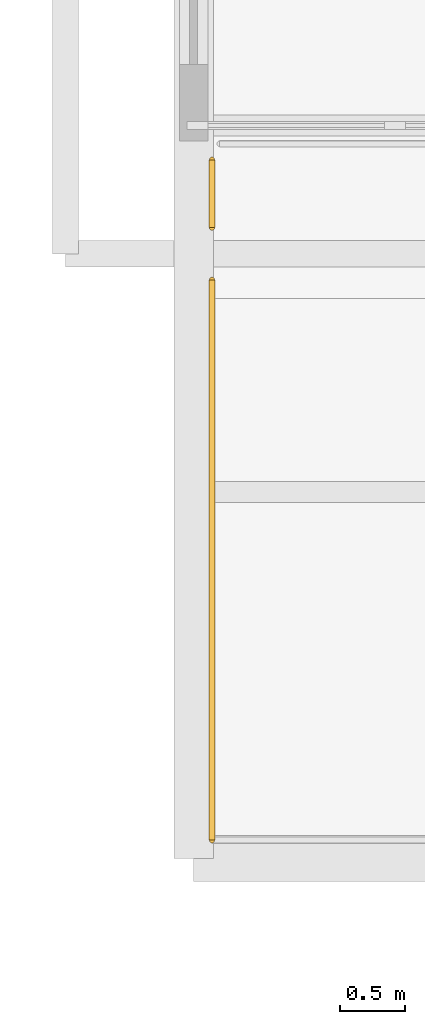
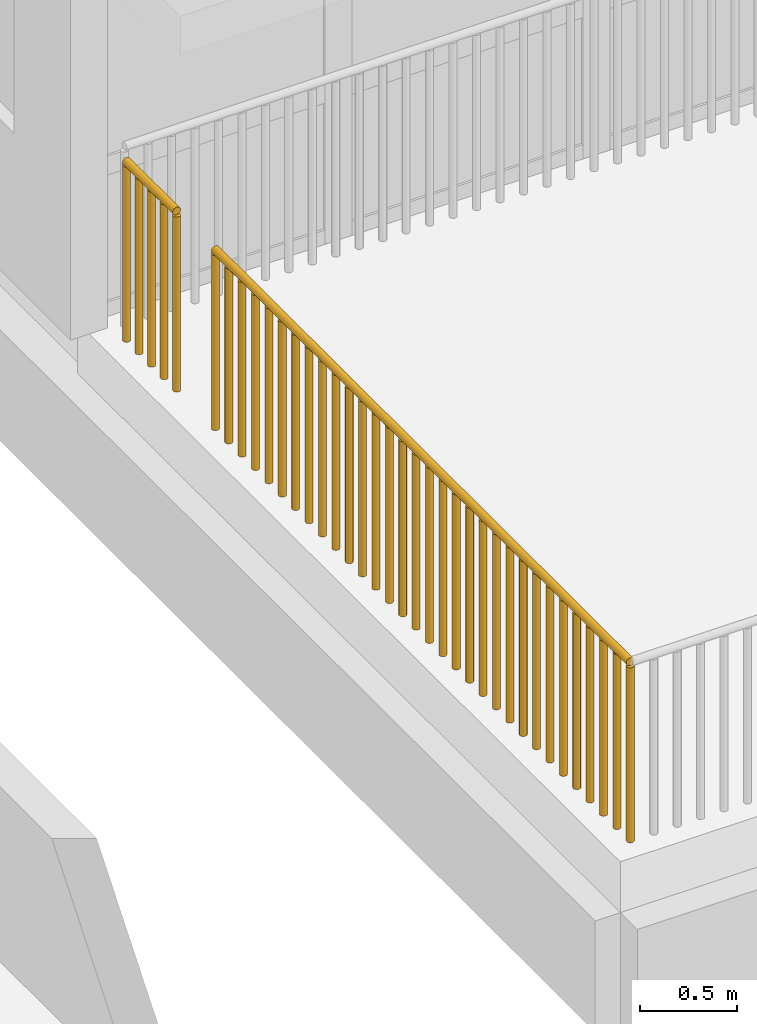
# One storey, part 10 of 14: 2 railings.
"""IFC4 building model written with IfcOpenShell, lengths in metres."""

from ifc_helpers import new_model, si_unit, direction, frame, origin, origin_2d, place, context, subcontext, project, spatial, circle, extrude, material, type_object, element, save


model = new_model("IFC4")

# Units and contexts
model_context = context("Model", 3, precision=1e-05, world=origin(), true_north=direction((0.0, 1.0)))
body_context = subcontext(model_context, "Body", "Model", "MODEL_VIEW")
ifc_project = project(units=[si_unit("LENGTHUNIT", "METRE"), si_unit("AREAUNIT", "SQUARE_METRE"), si_unit("VOLUMEUNIT", "CUBIC_METRE"), si_unit("PLANEANGLEUNIT", "RADIAN"), si_unit("MASSUNIT", "GRAM", prefix="KILO")], contexts=[model_context])

# Site, building, storey
site_placement = place(None, origin())
site = spatial("IfcSite", under=ifc_project, at=site_placement, CompositionType="ELEMENT")
building_placement = place(site_placement, origin())
building = spatial("IfcBuilding", under=site, at=building_placement, Name="Vanh Quang Courtyard School", CompositionType="ELEMENT")
storey_placement = place(building_placement, frame((0.0, 0.0, 22.199951171875)))
storey = spatial("IfcBuildingStorey", under=building, at=storey_placement, Name="L06", CompositionType="ELEMENT", Elevation=22.199951171875)

# Railings
ifc_material = material(Name="Galvanised painted steel EN 10025-2 S355J2", Category="steel")
railing_type = type_object("IfcRailingType", Name="RAIL-GUARD-1150", PredefinedType="BALUSTRADE", material=ifc_material)
railing_1_placement = place(storey_placement, frame((77.5400390625, 71.5400390625, 0.0)))
element("IfcRailing", 1, at=railing_1_placement, inside=storey, type_object=railing_type, Name="Railing GR-01 (L06)", PredefinedType="BALUSTRADE", context=body_context, shape_type="SweptSolid", body=[
    extrude(circle(Radius=0.02392578125, at=origin_2d()), frame((0.0, 0.0, 1.1259765625), z_axis=(0.0, 1.0, 0.0), x_axis=(-1.0, 0.0, 0.0)), (0.0, 0.0, 1.0), 4.280029296875),
    extrude(circle(Radius=0.02099609375, at=origin_2d()), origin(), (0.0, 0.0, 1.0), 1.101806640625),
    extrude(circle(Radius=0.02099609375, at=origin_2d()), frame((0.0, 0.13818359375, 0.0)), (0.0, 0.0, 1.0), 1.101806640625),
    extrude(circle(Radius=0.02099609375, at=origin_2d()), frame((0.0, 0.276123046875, 0.0)), (0.0, 0.0, 1.0), 1.101806640625),
    extrude(circle(Radius=0.02099609375, at=origin_2d()), frame((0.0, 0.414306640625, 0.0)), (0.0, 0.0, 1.0), 1.101806640625),
    extrude(circle(Radius=0.02099609375, at=origin_2d()), frame((0.0, 0.55224609375, 0.0)), (0.0, 0.0, 1.0), 1.101806640625),
    extrude(circle(Radius=0.02099609375, at=origin_2d()), frame((0.0, 0.6904296875, 0.0)), (0.0, 0.0, 1.0), 1.101806640625),
    extrude(circle(Radius=0.02099609375, at=origin_2d()), frame((0.0, 0.828369140625, 0.0)), (0.0, 0.0, 1.0), 1.101806640625),
    extrude(circle(Radius=0.02099609375, at=origin_2d()), frame((0.0, 0.966552734375, 0.0)), (0.0, 0.0, 1.0), 1.101806640625),
    extrude(circle(Radius=0.02099609375, at=origin_2d()), frame((0.0, 1.1044921875, 0.0)), (0.0, 0.0, 1.0), 1.101806640625),
    extrude(circle(Radius=0.02099609375, at=origin_2d()), frame((0.0, 1.24267578125, 0.0)), (0.0, 0.0, 1.0), 1.101806640625),
    extrude(circle(Radius=0.02099609375, at=origin_2d()), frame((0.0, 1.380615234375, 0.0)), (0.0, 0.0, 1.0), 1.101806640625),
    extrude(circle(Radius=0.02099609375, at=origin_2d()), frame((0.0, 1.518798828125, 0.0)), (0.0, 0.0, 1.0), 1.101806640625),
    extrude(circle(Radius=0.02099609375, at=origin_2d()), frame((0.0, 1.65673828125, 0.0)), (0.0, 0.0, 1.0), 1.101806640625),
    extrude(circle(Radius=0.02099609375, at=origin_2d()), frame((0.0, 1.794921875, 0.0)), (0.0, 0.0, 1.0), 1.101806640625),
    extrude(circle(Radius=0.02099609375, at=origin_2d()), frame((0.0, 1.932861328125, 0.0)), (0.0, 0.0, 1.0), 1.101806640625),
    extrude(circle(Radius=0.02099609375, at=origin_2d()), frame((0.0, 2.071044921875, 0.0)), (0.0, 0.0, 1.0), 1.101806640625),
    extrude(circle(Radius=0.02099609375, at=origin_2d()), frame((0.0, 2.208984375, 0.0)), (0.0, 0.0, 1.0), 1.101806640625),
    extrude(circle(Radius=0.02099609375, at=origin_2d()), frame((0.0, 2.34716796875, 0.0)), (0.0, 0.0, 1.0), 1.101806640625),
    extrude(circle(Radius=0.02099609375, at=origin_2d()), frame((0.0, 2.485107421875, 0.0)), (0.0, 0.0, 1.0), 1.101806640625),
    extrude(circle(Radius=0.02099609375, at=origin_2d()), frame((0.0, 2.623291015625, 0.0)), (0.0, 0.0, 1.0), 1.101806640625),
    extrude(circle(Radius=0.02099609375, at=origin_2d()), frame((0.0, 2.76123046875, 0.0)), (0.0, 0.0, 1.0), 1.101806640625),
    extrude(circle(Radius=0.02099609375, at=origin_2d()), frame((0.0, 2.8994140625, 0.0)), (0.0, 0.0, 1.0), 1.101806640625),
    extrude(circle(Radius=0.02099609375, at=origin_2d()), frame((0.0, 3.037353515625, 0.0)), (0.0, 0.0, 1.0), 1.101806640625),
    extrude(circle(Radius=0.02099609375, at=origin_2d()), frame((0.0, 3.175537109375, 0.0)), (0.0, 0.0, 1.0), 1.101806640625),
    extrude(circle(Radius=0.02099609375, at=origin_2d()), frame((0.0, 3.3134765625, 0.0)), (0.0, 0.0, 1.0), 1.101806640625),
    extrude(circle(Radius=0.02099609375, at=origin_2d()), frame((0.0, 3.45166015625, 0.0)), (0.0, 0.0, 1.0), 1.101806640625),
    extrude(circle(Radius=0.02099609375, at=origin_2d()), frame((0.0, 3.589599609375, 0.0)), (0.0, 0.0, 1.0), 1.101806640625),
    extrude(circle(Radius=0.02099609375, at=origin_2d()), frame((0.0, 3.727783203125, 0.0)), (0.0, 0.0, 1.0), 1.101806640625),
    extrude(circle(Radius=0.02099609375, at=origin_2d()), frame((0.0, 3.86572265625, 0.0)), (0.0, 0.0, 1.0), 1.101806640625),
    extrude(circle(Radius=0.02099609375, at=origin_2d()), frame((0.0, 4.00390625, 0.0)), (0.0, 0.0, 1.0), 1.101806640625),
    extrude(circle(Radius=0.02099609375, at=origin_2d()), frame((0.0, 4.141845703125, 0.0)), (0.0, 0.0, 1.0), 1.101806640625),
    extrude(circle(Radius=0.02099609375, at=origin_2d()), frame((0.0, 4.280029296875, 0.0)), (0.0, 0.0, 1.0), 1.101806640625),
])
railing_2_placement = place(storey_placement, frame((77.5400390625, 76.219970703125, 0.0)))
element("IfcRailing", 2, at=railing_2_placement, inside=storey, type_object=railing_type, Name="Railing GR-01 (L06)", PredefinedType="BALUSTRADE", context=body_context, shape_type="SweptSolid", body=[
    extrude(circle(Radius=0.02392578125, at=origin_2d()), frame((0.0, 0.0, 1.1259765625), z_axis=(0.0, 1.0, 0.0), x_axis=(-1.0, 0.0, 0.0)), (0.0, 0.0, 1.0), 0.517333984375),
    extrude(circle(Radius=0.02099609375, at=origin_2d()), origin(), (0.0, 0.0, 1.0), 1.101806640625),
    extrude(circle(Radius=0.02099609375, at=origin_2d()), frame((0.0, 0.12939453125, 0.0)), (0.0, 0.0, 1.0), 1.101806640625),
    extrude(circle(Radius=0.02099609375, at=origin_2d()), frame((0.0, 0.2587890625, 0.0)), (0.0, 0.0, 1.0), 1.101806640625),
    extrude(circle(Radius=0.02099609375, at=origin_2d()), frame((0.0, 0.387939453125, 0.0)), (0.0, 0.0, 1.0), 1.101806640625),
    extrude(circle(Radius=0.02099609375, at=origin_2d()), frame((0.0, 0.517333984375, 0.0)), (0.0, 0.0, 1.0), 1.101806640625),
])

save(model, "model.ifc")
